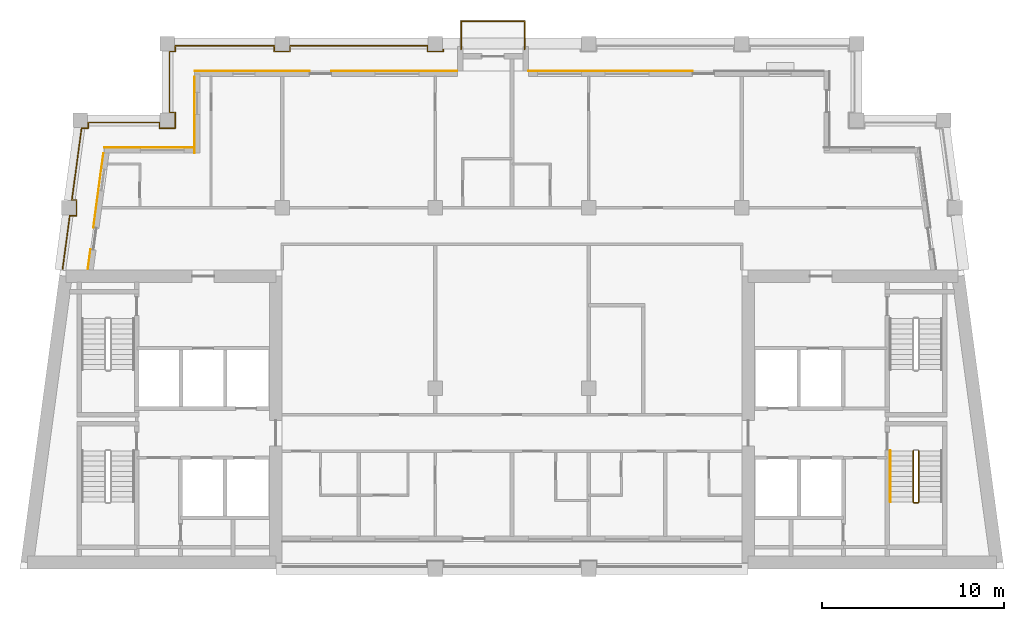
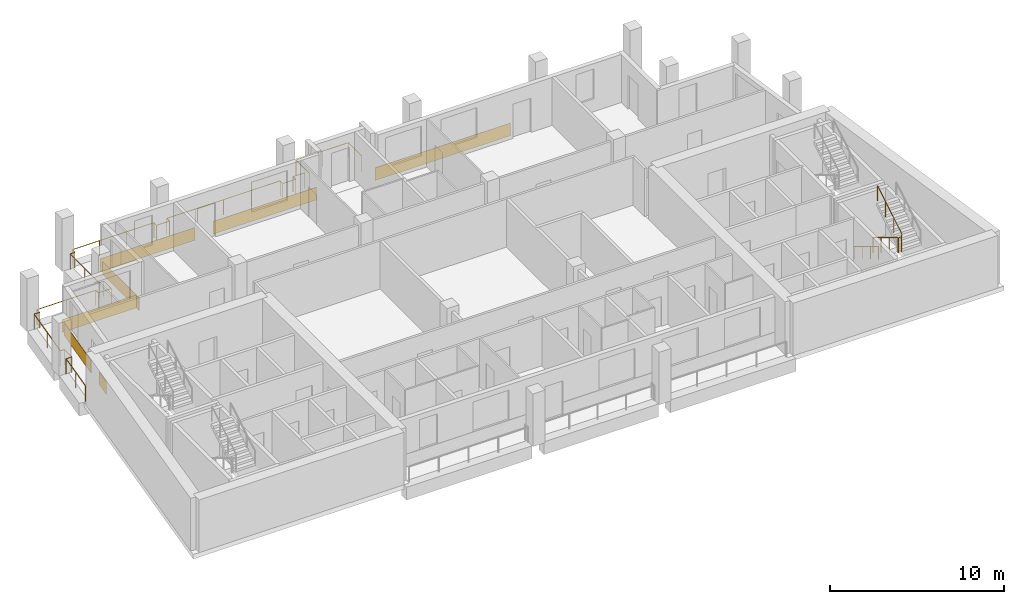
# One storey, part 8 of 10: 7 coverings, 5 railings.
"""IFC4 building model written with IfcOpenShell, lengths in metres."""

from ifc_helpers import new_model, si_unit, direction, frame, origin, origin_2d, place, context, subcontext, project, spatial, rectangle, circle, extrude, material, layer, layer_set, type_object, element, save


model = new_model("IFC4")

# Units and contexts
model_context = context("Model", 3, precision=1e-05, world=origin(), true_north=direction((0.0, 1.0)))
body_context = subcontext(model_context, "Body", "Model", "MODEL_VIEW")
ifc_project = project(units=[si_unit("LENGTHUNIT", "METRE"), si_unit("AREAUNIT", "SQUARE_METRE"), si_unit("VOLUMEUNIT", "CUBIC_METRE"), si_unit("PLANEANGLEUNIT", "RADIAN"), si_unit("MASSUNIT", "GRAM", prefix="KILO")], contexts=[model_context])

# Site, building, storey
site_placement = place(None, origin())
site = spatial("IfcSite", under=ifc_project, at=site_placement, CompositionType="ELEMENT")
building_placement = place(site_placement, origin())
building = spatial("IfcBuilding", under=site, at=building_placement, Name="Candeia Pilgrim Tower and Theatre", CompositionType="ELEMENT")
storey_placement = place(building_placement, frame((0.0, 0.0, 288.60009765625)))
storey = spatial("IfcBuildingStorey", under=building, at=storey_placement, Name="L70", CompositionType="ELEMENT", Elevation=288.60009765625)

# Railings
ifc_material_1 = material(Name="Stainless steel balustrade", Category="steel")
railing_type_1 = type_object("IfcRailingType", Name="G1 loggia guard 1100", PredefinedType="GUARDRAIL", material=ifc_material_1)
railing_1_placement = place(storey_placement, frame((94.070068359375, 140.47998046875, 0.0)))
element("IfcRailing", 1, at=railing_1_placement, inside=storey, type_object=railing_type_1, Name="Guard L70.1", PredefinedType="GUARDRAIL", context=body_context, shape_type="SweptSolid", body=[
    extrude(circle(Radius=0.02392578125, at=origin_2d()), frame((0.0, 0.0, 1.076171875), z_axis=(0.0, -1.0, 0.0), x_axis=(1.0, 0.0, 0.0)), (0.0, 0.0, 1.0), 0.31005859375),
    extrude(circle(Radius=0.02392578125, at=origin_2d()), frame((0.0, -0.31005859375, 1.076171875), z_axis=(1.0, 0.0, 0.0), x_axis=(0.0, 1.0, 0.0)), (0.0, 0.0, 1.0), 0.85986328125),
    extrude(circle(Radius=0.02392578125, at=origin_2d()), frame((0.85986328125, -0.31005859375, 1.076171875), z_axis=(0.0, 1.0, 0.0), x_axis=(-1.0, 0.0, 0.0)), (0.0, 0.0, 1.0), 0.860107421875),
    extrude(circle(Radius=0.02392578125, at=origin_2d()), frame((0.85986328125, 0.550048828125, 1.076171875), z_axis=(-1.0, 0.0, 0.0), x_axis=(0.0, -1.0, 0.0)), (0.0, 0.0, 1.0), 0.309814453125),
    extrude(circle(Radius=0.02392578125, at=origin_2d()), frame((0.550048828125, 0.550048828125, 1.076171875), z_axis=(0.0, 1.0, 0.0), x_axis=(-1.0, 0.0, 0.0)), (0.0, 0.0, 1.0), 3.340087890625),
    extrude(circle(Radius=0.02392578125, at=origin_2d()), frame((0.550048828125, 3.89013671875, 1.076171875), z_axis=(1.0, 0.0, 0.0), x_axis=(0.0, 1.0, 0.0)), (0.0, 0.0, 1.0), 0.309814453125),
    extrude(circle(Radius=0.02392578125, at=origin_2d()), frame((0.85986328125, 3.89013671875, 1.076171875), z_axis=(0.0, 1.0, 0.0), x_axis=(-1.0, 0.0, 0.0)), (0.0, 0.0, 1.0), 0.309814453125),
    extrude(circle(Radius=0.02392578125, at=origin_2d()), frame((0.85986328125, 4.199951171875, 1.076171875), z_axis=(1.0, 0.0, 0.0), x_axis=(0.0, 1.0, 0.0)), (0.0, 0.0, 1.0), 5.440185546875),
    extrude(circle(Radius=0.02392578125, at=origin_2d()), frame((6.300048828125, 4.199951171875, 1.076171875), z_axis=(0.0, -1.0, 0.0), x_axis=(1.0, 0.0, 0.0)), (0.0, 0.0, 1.0), 0.309814453125),
    extrude(circle(Radius=0.02392578125, at=origin_2d()), frame((6.300048828125, 3.89013671875, 1.076171875), z_axis=(1.0, 0.0, 0.0), x_axis=(0.0, 1.0, 0.0)), (0.0, 0.0, 1.0), 0.85986328125),
    extrude(circle(Radius=0.02392578125, at=origin_2d()), frame((7.159912109375, 3.89013671875, 1.076171875), z_axis=(0.0, 1.0, 0.0), x_axis=(-1.0, 0.0, 0.0)), (0.0, 0.0, 1.0), 0.309814453125),
    extrude(circle(Radius=0.02392578125, at=origin_2d()), frame((7.159912109375, 4.199951171875, 1.076171875), z_axis=(1.0, 0.0, 0.0), x_axis=(0.0, 1.0, 0.0)), (0.0, 0.0, 1.0), 7.5400390625),
    extrude(circle(Radius=0.02392578125, at=origin_2d()), frame((14.699951171875, 4.199951171875, 1.076171875), z_axis=(0.0, -1.0, 0.0), x_axis=(1.0, 0.0, 0.0)), (0.0, 0.0, 1.0), 0.309814453125),
    extrude(circle(Radius=0.02392578125, at=origin_2d()), frame((14.699951171875, 3.89013671875, 1.076171875), z_axis=(1.0, 0.0, 0.0), x_axis=(0.0, 1.0, 0.0)), (0.0, 0.0, 1.0), 0.85986328125),
    extrude(circle(Radius=0.02392578125, at=origin_2d()), frame((15.559814453125, 3.89013671875, 1.076171875), z_axis=(0.0, 1.0, 0.0), x_axis=(-1.0, 0.0, 0.0)), (0.0, 0.0, 1.0), 0.309814453125),
    extrude(circle(Radius=0.02392578125, at=origin_2d()), frame((15.559814453125, 4.199951171875, 1.076171875), z_axis=(1.0, 0.0, 0.0), x_axis=(0.0, 1.0, 0.0)), (0.0, 0.0, 1.0), 0.77001953125),
    extrude(circle(Radius=0.02099609375, at=origin_2d()), origin(), (0.0, 0.0, 1.0), 1.052001953125),
    extrude(circle(Radius=0.02099609375, at=origin_2d()), frame((0.0, -0.31005859375, 0.0)), (0.0, 0.0, 1.0), 1.052001953125),
    extrude(circle(Radius=0.02099609375, at=origin_2d()), frame((0.85986328125, -0.31005859375, 0.0)), (0.0, 0.0, 1.0), 1.052001953125),
    extrude(circle(Radius=0.02099609375, at=origin_2d()), frame((0.85986328125, 0.550048828125, 0.0)), (0.0, 0.0, 1.0), 1.052001953125),
    extrude(circle(Radius=0.02099609375, at=origin_2d()), frame((0.550048828125, 0.550048828125, 0.0)), (0.0, 0.0, 1.0), 1.052001953125),
    extrude(circle(Radius=0.02099609375, at=origin_2d()), frame((0.550048828125, 2.22021484375, 0.0)), (0.0, 0.0, 1.0), 1.052001953125),
    extrude(circle(Radius=0.02099609375, at=origin_2d()), frame((0.550048828125, 3.89013671875, 0.0)), (0.0, 0.0, 1.0), 1.052001953125),
    extrude(circle(Radius=0.02099609375, at=origin_2d()), frame((0.85986328125, 3.89013671875, 0.0)), (0.0, 0.0, 1.0), 1.052001953125),
    extrude(circle(Radius=0.02099609375, at=origin_2d()), frame((0.85986328125, 4.199951171875, 0.0)), (0.0, 0.0, 1.0), 1.052001953125),
    extrude(circle(Radius=0.02099609375, at=origin_2d()), frame((2.67333984375, 4.199951171875, 0.0)), (0.0, 0.0, 1.0), 1.052001953125),
    extrude(circle(Radius=0.02099609375, at=origin_2d()), frame((4.486572265625, 4.199951171875, 0.0)), (0.0, 0.0, 1.0), 1.052001953125),
    extrude(circle(Radius=0.02099609375, at=origin_2d()), frame((6.300048828125, 4.199951171875, 0.0)), (0.0, 0.0, 1.0), 1.052001953125),
    extrude(circle(Radius=0.02099609375, at=origin_2d()), frame((6.300048828125, 3.89013671875, 0.0)), (0.0, 0.0, 1.0), 1.052001953125),
    extrude(circle(Radius=0.02099609375, at=origin_2d()), frame((7.159912109375, 3.89013671875, 0.0)), (0.0, 0.0, 1.0), 1.052001953125),
    extrude(circle(Radius=0.02099609375, at=origin_2d()), frame((7.159912109375, 4.199951171875, 0.0)), (0.0, 0.0, 1.0), 1.052001953125),
    extrude(circle(Radius=0.02099609375, at=origin_2d()), frame((9.044921875, 4.199951171875, 0.0)), (0.0, 0.0, 1.0), 1.052001953125),
    extrude(circle(Radius=0.02099609375, at=origin_2d()), frame((10.929931640625, 4.199951171875, 0.0)), (0.0, 0.0, 1.0), 1.052001953125),
    extrude(circle(Radius=0.02099609375, at=origin_2d()), frame((12.81494140625, 4.199951171875, 0.0)), (0.0, 0.0, 1.0), 1.052001953125),
    extrude(circle(Radius=0.02099609375, at=origin_2d()), frame((14.699951171875, 4.199951171875, 0.0)), (0.0, 0.0, 1.0), 1.052001953125),
    extrude(circle(Radius=0.02099609375, at=origin_2d()), frame((14.699951171875, 3.89013671875, 0.0)), (0.0, 0.0, 1.0), 1.052001953125),
    extrude(circle(Radius=0.02099609375, at=origin_2d()), frame((15.559814453125, 3.89013671875, 0.0)), (0.0, 0.0, 1.0), 1.052001953125),
    extrude(circle(Radius=0.02099609375, at=origin_2d()), frame((15.559814453125, 4.199951171875, 0.0)), (0.0, 0.0, 1.0), 1.052001953125),
    extrude(circle(Radius=0.02099609375, at=origin_2d()), frame((16.329833984375, 4.199951171875, 0.0)), (0.0, 0.0, 1.0), 1.052001953125),
])
railing_2_placement = place(storey_placement, frame((88.758544921875, 132.449951171875, 0.0)))
element("IfcRailing", 2, at=railing_2_placement, inside=storey, type_object=railing_type_1, Name="Guard L70.4", PredefinedType="GUARDRAIL", context=body_context, shape_type="SweptSolid", body=[
    extrude(circle(Radius=0.02392578125, at=origin_2d()), frame((0.0, 0.0, 1.076171875), z_axis=(0.133401056725, 0.991062136329, 0.0), x_axis=(-0.991062136329, 0.133401056725, 0.0)), (0.0, 0.0, 1.0), 2.946533203125),
    extrude(circle(Radius=0.02392578125, at=origin_2d()), frame((0.39306640625, 2.920166015625, 1.076171875), z_axis=(1.0, 0.0, 0.0), x_axis=(0.0, 1.0, 0.0)), (0.0, 0.0, 1.0), 0.366943359375),
    extrude(circle(Radius=0.02392578125, at=origin_2d()), frame((0.760009765625, 2.920166015625, 1.076171875), z_axis=(0.0, 1.0, 0.0), x_axis=(-1.0, 0.0, 0.0)), (0.0, 0.0, 1.0), 0.85986328125),
    extrude(circle(Radius=0.02392578125, at=origin_2d()), frame((0.760009765625, 3.780029296875, 1.076171875), z_axis=(-1.0, 0.0, 0.0), x_axis=(0.0, -1.0, 0.0)), (0.0, 0.0, 1.0), 0.251220703125),
    extrude(circle(Radius=0.02392578125, at=origin_2d()), frame((0.5087890625, 3.780029296875, 1.076171875), z_axis=(0.133446811067, 0.99105597653, 0.0), x_axis=(-0.99105597653, 0.133446811067, 0.0)), (0.0, 0.0, 1.0), 3.9755859375),
    extrude(circle(Radius=0.02392578125, at=origin_2d()), frame((1.039306640625, 7.719970703125, 1.076171875), z_axis=(1.0, 0.0, 0.0), x_axis=(0.0, 1.0, 0.0)), (0.0, 0.0, 1.0), 0.36669921875),
    extrude(circle(Radius=0.02392578125, at=origin_2d()), frame((1.406005859375, 7.719970703125, 1.076171875), z_axis=(0.0, 1.0, 0.0), x_axis=(-1.0, 0.0, 0.0)), (0.0, 0.0, 1.0), 0.31005859375),
    extrude(circle(Radius=0.02392578125, at=origin_2d()), frame((1.406005859375, 8.030029296875, 1.076171875), z_axis=(1.0, 0.0, 0.0), x_axis=(0.0, 1.0, 0.0)), (0.0, 0.0, 1.0), 3.905517578125),
    extrude(circle(Radius=0.02099609375, at=origin_2d()), origin(), (0.0, 0.0, 1.0), 1.052001953125),
    extrude(circle(Radius=0.02099609375, at=origin_2d()), frame((0.196533203125, 1.4599609375, 0.0)), (0.0, 0.0, 1.0), 1.052001953125),
    extrude(circle(Radius=0.02099609375, at=origin_2d()), frame((0.39306640625, 2.920166015625, 0.0)), (0.0, 0.0, 1.0), 1.052001953125),
    extrude(circle(Radius=0.02099609375, at=origin_2d()), frame((0.760009765625, 2.920166015625, 0.0)), (0.0, 0.0, 1.0), 1.052001953125),
    extrude(circle(Radius=0.02099609375, at=origin_2d()), frame((0.760009765625, 3.780029296875, 0.0)), (0.0, 0.0, 1.0), 1.052001953125),
    extrude(circle(Radius=0.02099609375, at=origin_2d()), frame((0.5087890625, 3.780029296875, 0.0)), (0.0, 0.0, 1.0), 1.052001953125),
    extrude(circle(Radius=0.02099609375, at=origin_2d()), frame((0.77392578125, 5.75, 0.0)), (0.0, 0.0, 1.0), 1.052001953125),
    extrude(circle(Radius=0.02099609375, at=origin_2d()), frame((1.039306640625, 7.719970703125, 0.0)), (0.0, 0.0, 1.0), 1.052001953125),
    extrude(circle(Radius=0.02099609375, at=origin_2d()), frame((1.406005859375, 7.719970703125, 0.0)), (0.0, 0.0, 1.0), 1.052001953125),
    extrude(circle(Radius=0.02099609375, at=origin_2d()), frame((1.406005859375, 8.030029296875, 0.0)), (0.0, 0.0, 1.0), 1.052001953125),
    extrude(circle(Radius=0.02099609375, at=origin_2d()), frame((3.35888671875, 8.030029296875, 0.0)), (0.0, 0.0, 1.0), 1.052001953125),
    extrude(circle(Radius=0.02099609375, at=origin_2d()), frame((5.3115234375, 8.030029296875, 0.0)), (0.0, 0.0, 1.0), 1.052001953125),
])
railing_3_placement = place(storey_placement, frame((110.610107421875, 144.5, 0.0)))
element("IfcRailing", 3, at=railing_3_placement, inside=storey, type_object=railing_type_1, Name="Balcony guard L70", PredefinedType="GUARDRAIL", context=body_context, shape_type="SweptSolid", body=[
    extrude(circle(Radius=0.02392578125, at=origin_2d()), frame((0.0, 0.0, 1.076171875), z_axis=(0.0, 1.0, 0.0), x_axis=(-1.0, 0.0, 0.0)), (0.0, 0.0, 1.0), 1.5400390625),
    extrude(circle(Radius=0.02392578125, at=origin_2d()), frame((0.0, 1.5400390625, 1.076171875), z_axis=(1.0, 0.0, 0.0), x_axis=(0.0, 1.0, 0.0)), (0.0, 0.0, 1.0), 3.47998046875),
    extrude(circle(Radius=0.02392578125, at=origin_2d()), frame((3.47998046875, 1.5400390625, 1.076171875), z_axis=(0.0, -1.0, 0.0), x_axis=(1.0, 0.0, 0.0)), (0.0, 0.0, 1.0), 1.5400390625),
    extrude(circle(Radius=0.02099609375, at=origin_2d()), origin(), (0.0, 0.0, 1.0), 1.052001953125),
    extrude(circle(Radius=0.02099609375, at=origin_2d()), frame((0.0, 1.5400390625, 0.0)), (0.0, 0.0, 1.0), 1.052001953125),
    extrude(circle(Radius=0.02099609375, at=origin_2d()), frame((1.739990234375, 1.5400390625, 0.0)), (0.0, 0.0, 1.0), 1.052001953125),
    extrude(circle(Radius=0.02099609375, at=origin_2d()), frame((3.47998046875, 1.5400390625, 0.0)), (0.0, 0.0, 1.0), 1.052001953125),
    extrude(circle(Radius=0.02099609375, at=origin_2d()), frame((3.47998046875, 0.0, 0.0)), (0.0, 0.0, 1.0), 1.052001953125),
])

# Coverings
ifc_material_2 = material(Name="Glazed ceramic tile bottle green")
ifc_layer = layer(ifc_material_2, 0.02001953125)
ifc_layer_set = layer_set([ifc_layer], Name="Glazed ceramic tile bottle green")
covering_type = type_object("IfcCoveringType", Name="Glazed ceramic tile bottle green", PredefinedType="CLADDING", material=ifc_layer_set)
covering_1_placement = place(storey_placement, frame((90.720947265625, 136.759521484375, 0.0), z_axis=(0.0, 0.0, 1.0), x_axis=(-0.133412012145, -0.991060661622, 0.0)))
element("IfcCovering", 4, at=covering_1_placement, inside=storey, type_object=covering_type, Name="Tile cladding bottle green L70", PredefinedType="CLADDING", context=body_context, shape_type="SweptSolid", body=[
    extrude(rectangle(XDim=4.123779296875, YDim=0.02001953125, at=origin_2d()), origin(), (0.0, 0.0, 1.0), 0.89990234375),
])
covering_2_placement = place(storey_placement, frame((90.21142578125, 132.97412109375, 0.0), z_axis=(0.0, 0.0, 1.0), x_axis=(-0.133412012145, -0.991060661622, 0.0)))
element("IfcCovering", 5, at=covering_2_placement, inside=storey, type_object=covering_type, Name="Tile cladding bottle green L70", PredefinedType="CLADDING", context=body_context, shape_type="SweptSolid", body=[
    extrude(rectangle(XDim=1.115234375, YDim=0.02001953125, at=origin_2d()), origin(), (0.0, 0.0, 1.0), 0.89990234375),
])
covering_3_placement = place(storey_placement, frame((118.800048828125, 143.31005859375, 0.0), z_axis=(0.0, 0.0, 1.0), x_axis=(-1.0, 0.0, 0.0)))
element("IfcCovering", 6, at=covering_3_placement, inside=storey, type_object=covering_type, Name="Tile cladding bottle green L70", PredefinedType="CLADDING", context=body_context, shape_type="SweptSolid", body=[
    extrude(rectangle(XDim=9.0, YDim=0.02001953125, at=origin_2d()), origin(), (0.0, 0.0, 1.0), 0.89990234375),
])
covering_4_placement = place(storey_placement, frame((106.949951171875, 143.31005859375, 0.0), z_axis=(0.0, 0.0, 1.0), x_axis=(-1.0, 0.0, 0.0)))
element("IfcCovering", 7, at=covering_4_placement, inside=storey, type_object=covering_type, Name="Tile cladding bottle green L70", PredefinedType="CLADDING", context=body_context, shape_type="SweptSolid", body=[
    extrude(rectangle(XDim=6.89990234375, YDim=0.02001953125, at=origin_2d()), origin(), (0.0, 0.0, 1.0), 0.89990234375),
])
covering_5_placement = place(storey_placement, frame((99.14990234375, 143.31005859375, 0.0), z_axis=(0.0, 0.0, 1.0), x_axis=(-1.0, 0.0, 0.0)))
element("IfcCovering", 8, at=covering_5_placement, inside=storey, type_object=covering_type, Name="Tile cladding bottle green L70", PredefinedType="CLADDING", context=body_context, shape_type="SweptSolid", body=[
    extrude(rectangle(XDim=6.300048828125, YDim=0.02001953125, at=origin_2d()), origin(), (0.0, 0.0, 1.0), 0.89990234375),
])
covering_6_placement = place(storey_placement, frame((95.989990234375, 140.889892578125, 0.0), z_axis=(0.0, 0.0, 1.0), x_axis=(0.0, -1.0, 0.0)))
element("IfcCovering", 9, at=covering_6_placement, inside=storey, type_object=covering_type, Name="Tile cladding bottle green L70", PredefinedType="CLADDING", context=body_context, shape_type="SweptSolid", body=[
    extrude(rectangle(XDim=4.179931640625, YDim=0.02001953125, at=origin_2d()), origin(), (0.0, 0.0, 1.0), 0.89990234375),
])
covering_7_placement = place(storey_placement, frame((93.51318359375, 139.110107421875, 0.0), z_axis=(0.0, 0.0, 1.0), x_axis=(-1.0, 0.0, 0.0)))
element("IfcCovering", 10, at=covering_7_placement, inside=storey, type_object=covering_type, Name="Tile cladding bottle green L70", PredefinedType="CLADDING", context=body_context, shape_type="SweptSolid", body=[
    extrude(rectangle(XDim=4.933837890625, YDim=0.02001953125, at=origin_2d()), origin(), (0.0, 0.0, 1.0), 0.89990234375),
])

# Railings
railing_type_2 = type_object("IfcRailingType", Name="RL-GUARD-1100", PredefinedType="GUARDRAIL", material=ifc_material_1)
railing_4_placement = place(storey_placement, frame((135.39794921875, 122.47509765625, 0.16796875)))
element("IfcRailing", 11, at=railing_4_placement, inside=storey, type_object=railing_type_2, Name="L70 ST3 stair guard 1", PredefinedType="GUARDRAIL", context=body_context, shape_type="SweptSolid", body=[
    extrude(circle(Radius=0.02392578125, at=origin_2d()), frame((0.0, 0.0, 1.076171875), z_axis=(0.0, -0.857242210791, 0.514913383045), x_axis=(1.0, 0.0, 0.0)), (0.0, 0.0, 1.0), 3.266357421875),
    extrude(circle(Radius=0.02392578125, at=origin_2d()), frame((0.0, -2.800048828125, 2.7578125), z_axis=(0.707106781187, -0.707106781187, 0.0), x_axis=(0.707106781187, 0.707106781187, 0.0)), (0.0, 0.0, 1.0), 0.07080078125),
    extrude(circle(Radius=0.02392578125, at=origin_2d()), frame((0.050048828125, -2.85009765625, 2.7578125), z_axis=(1.0, 0.0, 0.0), x_axis=(0.0, 1.0, 0.0)), (0.0, 0.0, 1.0), 0.199951171875),
    extrude(circle(Radius=0.02392578125, at=origin_2d()), frame((0.25, -2.85009765625, 2.7578125), z_axis=(0.274243871929, 0.274243871929, 0.92172696468), x_axis=(-0.707106781187, 0.707106781187, 0.0)), (0.0, 0.0, 1.0), 0.1826171875),
    extrude(circle(Radius=0.02392578125, at=origin_2d()), frame((0.300048828125, -2.800048828125, 2.92626953125), z_axis=(0.0, 0.857242210791, 0.514913383045), x_axis=(-1.0, 0.0, 0.0)), (0.0, 0.0, 1.0), 3.266357421875),
    extrude(circle(Radius=0.02099609375, at=origin_2d()), origin(), (0.0, 0.0, 1.0), 1.052001953125),
    extrude(circle(Radius=0.02099609375, at=origin_2d()), frame((0.0, -0.933349609375, 0.560546875)), (0.0, 0.0, 1.0), 1.052001953125),
    extrude(circle(Radius=0.02099609375, at=origin_2d()), frame((0.0, -1.86669921875, 1.121337890625)), (0.0, 0.0, 1.0), 1.052001953125),
    extrude(circle(Radius=0.02099609375, at=origin_2d()), frame((0.0, -2.800048828125, 1.681884765625)), (0.0, 0.0, 1.0), 1.052001953125),
    extrude(circle(Radius=0.02099609375, at=origin_2d()), frame((0.050048828125, -2.85009765625, 1.681884765625)), (0.0, 0.0, 1.0), 1.052001953125),
    extrude(circle(Radius=0.02099609375, at=origin_2d()), frame((0.25, -2.85009765625, 1.681884765625)), (0.0, 0.0, 1.0), 1.052001953125),
    extrude(circle(Radius=0.02099609375, at=origin_2d()), frame((0.300048828125, -2.800048828125, 1.85009765625)), (0.0, 0.0, 1.0), 1.052001953125),
    extrude(circle(Radius=0.02099609375, at=origin_2d()), frame((0.300048828125, -1.86669921875, 2.41064453125)), (0.0, 0.0, 1.0), 1.052001953125),
    extrude(circle(Radius=0.02099609375, at=origin_2d()), frame((0.300048828125, -0.933349609375, 2.971435546875)), (0.0, 0.0, 1.0), 1.052001953125),
    extrude(circle(Radius=0.02099609375, at=origin_2d()), frame((0.300048828125, 0.0, 3.531982421875)), (0.0, 0.0, 1.0), 1.052001953125),
])
ifc_material_3 = material(Name="Stainless steel handrail", Category="steel")
railing_type_3 = type_object("IfcRailingType", Name="RL-HANDRAIL-900", PredefinedType="HANDRAIL", material=ifc_material_3)
railing_5_placement = place(storey_placement, frame((134.14794921875, 122.47509765625, 0.16796875)))
element("IfcRailing", 12, at=railing_5_placement, inside=storey, type_object=railing_type_3, Name="L70 ST3 stair handrail 1", PredefinedType="HANDRAIL", context=body_context, shape_type="SweptSolid", body=[
    extrude(circle(Radius=0.02392578125, at=origin_2d()), frame((0.0, 0.0, 0.8759765625), z_axis=(0.0, -0.857242210791, 0.514913383045), x_axis=(1.0, 0.0, 0.0)), (0.0, 0.0, 1.0), 3.266357421875),
    extrude(circle(Radius=0.02099609375, at=origin_2d()), origin(), (0.0, 0.0, 1.0), 0.851806640625),
    extrude(circle(Radius=0.02099609375, at=origin_2d()), frame((0.0, -0.933349609375, 0.560546875)), (0.0, 0.0, 1.0), 0.851806640625),
    extrude(circle(Radius=0.02099609375, at=origin_2d()), frame((0.0, -1.86669921875, 1.121337890625)), (0.0, 0.0, 1.0), 0.851806640625),
    extrude(circle(Radius=0.02099609375, at=origin_2d()), frame((0.0, -2.800048828125, 1.681884765625)), (0.0, 0.0, 1.0), 0.851806640625),
])

save(model, "model.ifc")
